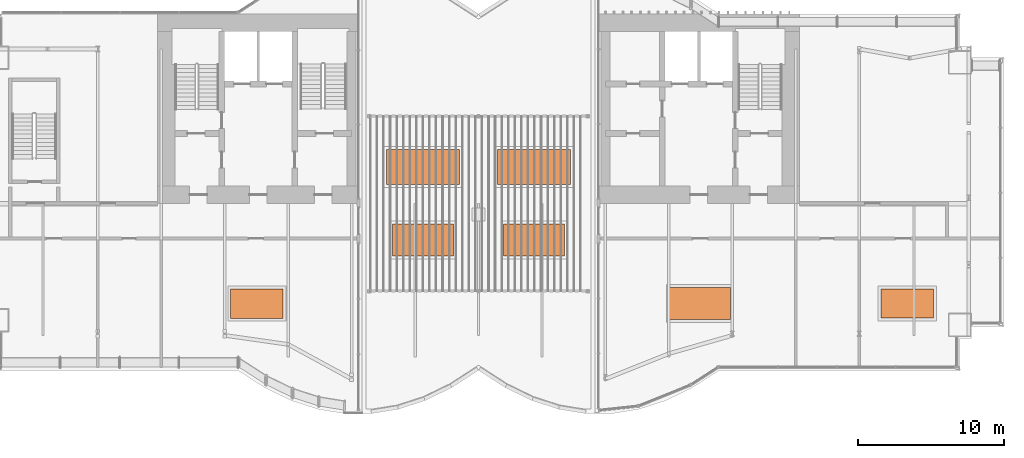
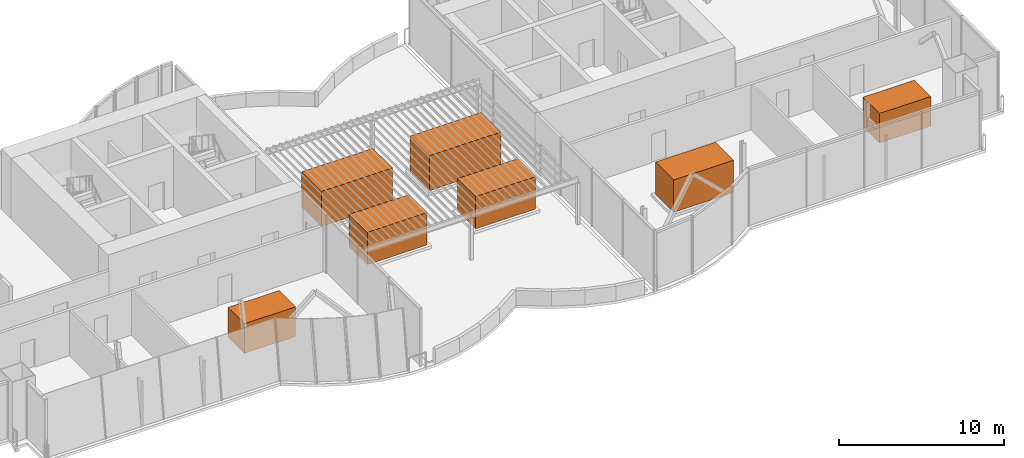
# One storey, part 18 of 18: 7 proxies.
"""IFC4 building model written with IfcOpenShell, lengths in metres."""

from ifc_helpers import new_model, si_unit, direction, frame, origin, origin_2d, place, context, subcontext, project, spatial, rectangle, extrude, element, save


model = new_model("IFC4")

# Units and contexts
model_context = context("Model", 3, precision=1e-05, world=origin(), true_north=direction((0.0, 1.0)))
body_context = subcontext(model_context, "Body", "Model", "MODEL_VIEW")
ifc_project = project(units=[si_unit("LENGTHUNIT", "METRE"), si_unit("AREAUNIT", "SQUARE_METRE"), si_unit("VOLUMEUNIT", "CUBIC_METRE"), si_unit("PLANEANGLEUNIT", "RADIAN"), si_unit("MASSUNIT", "GRAM", prefix="KILO")], contexts=[model_context])

# Site, building, storey
site_placement = place(None, origin())
site = spatial("IfcSite", under=ifc_project, at=site_placement, CompositionType="ELEMENT")
building_placement = place(site_placement, origin())
building = spatial("IfcBuilding", under=site, at=building_placement, Name="Bicima Exchange Tower", CompositionType="ELEMENT")
storey_placement = place(building_placement, frame((0.0, 0.0, 347.89990234375)))
storey = spatial("IfcBuildingStorey", under=building, at=storey_placement, Name="L78", CompositionType="ELEMENT", Elevation=347.89990234375)

# Proxies
for number, where, z_axis, x_axis, name in (
    (1, (-3.800048828125, -10.5, 0.320068359375), (0.0, 0.0, 1.0), (1.0, 0.0, 0.0), "Chiller slot roof"),
    (2, (3.800048828125, -10.5, 0.320068359375), (0.0, 0.0, 1.0), (1.0, 0.0, 0.0), "Chiller slot roof"),
):
    element("IfcBuildingElementProxy", number, at=place(storey_placement, frame(where, z_axis=z_axis, x_axis=x_axis)), inside=storey, Name=name, ObjectType="Chiller", PredefinedType="USERDEFINED", context=body_context, shape_type="SweptSolid", body=[
        extrude(rectangle(XDim=5.0, YDim=2.39990234375, at=origin_2d()), origin(), (0.0, 0.0, 1.0), 2.60009765625),
    ])
for number, where, z_axis, x_axis, name in (
    (3, (-3.800048828125, -15.5, 0.320068359375), (0.0, 0.0, 1.0), (1.0, 0.0, 0.0), "Air handling unit slot roof"),
    (4, (3.800048828125, -15.5, 0.320068359375), (0.0, 0.0, 1.0), (1.0, 0.0, 0.0), "Air handling unit slot roof"),
):
    element("IfcBuildingElementProxy", number, at=place(storey_placement, frame(where, z_axis=z_axis, x_axis=x_axis)), inside=storey, Name=name, ObjectType="Air handling unit", PredefinedType="USERDEFINED", context=body_context, shape_type="SweptSolid", body=[
        extrude(rectangle(XDim=4.199951171875, YDim=2.199951171875, at=origin_2d()), origin(), (0.0, 0.0, 1.0), 2.39990234375),
    ])
proxy_1_placement = place(storey_placement, frame((-15.18505859375, -19.860107421875, 0.2001953125), z_axis=(0.0, 0.0, 1.0), x_axis=(1.0, 0.0, 0.0)))
element("IfcBuildingElementProxy", 5, at=proxy_1_placement, inside=storey, Name="Water treatment skid L78", ObjectType="Water treatment skid", PredefinedType="USERDEFINED", context=body_context, shape_type="SweptSolid", body=[
    extrude(rectangle(XDim=3.60009765625, YDim=2.0, at=origin_2d()), origin(), (0.0, 0.0, 1.0), 2.199951171875),
])
proxy_2_placement = place(storey_placement, frame((15.18994140625, -19.860107421875, 0.2001953125), z_axis=(0.0, 0.0, 1.0), x_axis=(1.0, 0.0, 0.0)))
element("IfcBuildingElementProxy", 6, at=proxy_2_placement, inside=storey, Name="Air handling unit L78", ObjectType="Air handling unit", PredefinedType="USERDEFINED", context=body_context, shape_type="SweptSolid", body=[
    extrude(rectangle(XDim=4.199951171875, YDim=2.199951171875, at=origin_2d()), origin(), (0.0, 0.0, 1.0), 2.39990234375),
])
proxy_3_placement = place(storey_placement, frame((29.39404296875, -19.85791015625, 0.2001953125), z_axis=(0.0, 0.0, 1.0), x_axis=(1.0, 0.0, 0.0)))
element("IfcBuildingElementProxy", 7, at=proxy_3_placement, inside=storey, Name="Water treatment skid L78", ObjectType="Water treatment skid", PredefinedType="USERDEFINED", context=body_context, shape_type="SweptSolid", body=[
    extrude(rectangle(XDim=3.60009765625, YDim=2.0, at=origin_2d()), origin(), (0.0, 0.0, 1.0), 2.199951171875),
])

save(model, "model.ifc")
